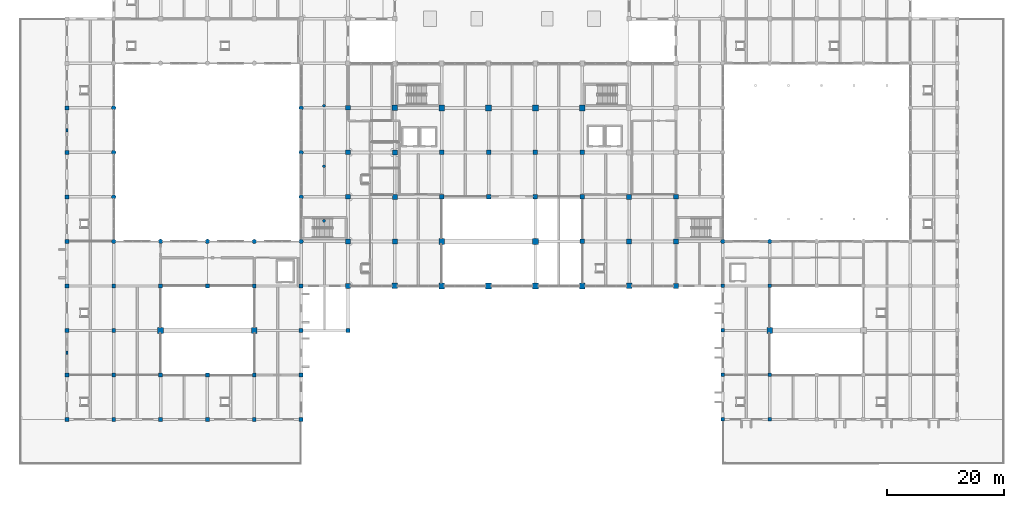
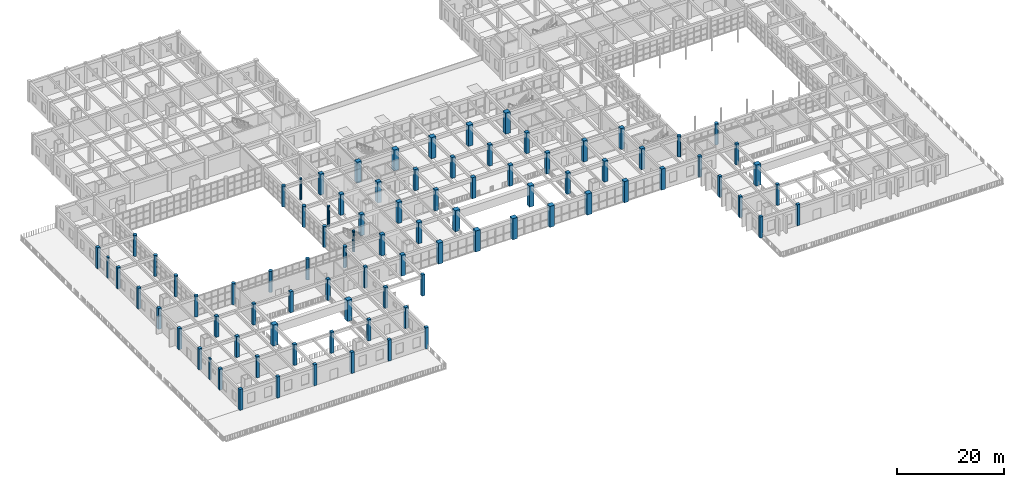
# One storey, part 1 of 101: 89 columns.
"""IFC4 building model written with IfcOpenShell, lengths in metres."""

from ifc_helpers import new_model, si_unit, direction, frame, origin, origin_2d, place, context, subcontext, project, spatial, rectangle, circle, extrude, material, material_profile, profile_set, type_object, element, save


model = new_model("IFC4")

# Units and contexts
model_context = context("Model", 3, precision=1e-05, world=origin(), true_north=direction((0.0, 1.0)))
body_context = subcontext(model_context, "Body", "Model", "MODEL_VIEW")
ifc_project = project(units=[si_unit("LENGTHUNIT", "METRE"), si_unit("AREAUNIT", "SQUARE_METRE"), si_unit("VOLUMEUNIT", "CUBIC_METRE"), si_unit("PLANEANGLEUNIT", "RADIAN"), si_unit("MASSUNIT", "GRAM", prefix="KILO")], contexts=[model_context])

# Site, building, storey
site_placement = place(None, origin())
site = spatial("IfcSite", under=ifc_project, at=site_placement, CompositionType="ELEMENT")
building_placement = place(site_placement, origin())
building = spatial("IfcBuilding", under=site, at=building_placement, Name="Zantavel Square City Hall", CompositionType="ELEMENT")
storey_placement = place(building_placement, frame((0.0, 0.0, 5.39990234375)))
storey = spatial("IfcBuildingStorey", under=building, at=storey_placement, Name="L02", CompositionType="ELEMENT", Elevation=5.39990234375)

# Columns
ifc_material = material(Name="Concrete C40/50", Category="concrete")
ifc_material_profile_1 = material_profile(ifc_material, rectangle(XDim=0.60009765625, YDim=0.35009765625, at=origin_2d()), Name="RC 600x350")
ifc_profile_set_1 = profile_set([ifc_material_profile_1], Name="Concrete C40/50")
column_type_1 = type_object("IfcColumnType", Name="Colossal Facade Pilaster 600x350 C40/50", PredefinedType="PILASTER", material=ifc_profile_set_1)
for number, where, z_axis, x_axis, name in (
    (1, (8.0, 19.0, 0.0), (0.0, 0.0, 1.0), (0.0, 1.0, 0.0), "L02 Facade Pilaster PIL-L02-0080-0190"),
    (2, (8.0, 57.0, 0.0), (0.0, 0.0, 1.0), (0.0, 1.0, 0.0), "L02 Facade Pilaster PIL-L02-0080-0570"),
):
    element("IfcColumn", number, at=place(storey_placement, frame(where, z_axis=z_axis, x_axis=x_axis)), inside=storey, type_object=column_type_1, Name=name, PredefinedType="PILASTER", context=body_context, shape_type="SweptSolid", body=[
        extrude(rectangle(XDim=0.60009765625, YDim=0.35009765625, at=origin_2d()), origin(), (0.0, 0.0, 1.0), 4.800048828125),
    ])
ifc_material_profile_2 = material_profile(ifc_material, rectangle(XDim=1.0, YDim=1.0, at=origin_2d()), Name="RC 1000x1000")
ifc_profile_set_2 = profile_set([ifc_material_profile_2], Name="Concrete C40/50")
column_type_2 = type_object("IfcColumnType", Name="Column RC 1000x1000 C40/50", PredefinedType="COLUMN", material=ifc_profile_set_2)
for number, where, z_axis, x_axis, name in (
    (3, (24.0, 22.800048828125, 0.0), (0.0, 0.0, 1.0), (1.0, 0.0, 0.0), "L02 Column COL-L02-0240-0228"),
    (4, (40.0, 22.800048828125, 0.0), (0.0, 0.0, 1.0), (1.0, 0.0, 0.0), "L02 Column COL-L02-0400-0228"),
    (5, (72.0, 30.39990234375, 0.0), (0.0, 0.0, 1.0), (1.0, 0.0, 0.0), "L02 Column COL-L02-0720-0304"),
    (6, (72.0, 38.0, 0.0), (0.0, 0.0, 1.0), (1.0, 0.0, 0.0), "L02 Column COL-L02-0720-0380"),
    (7, (72.0, 60.800048828125, 0.0), (0.0, 0.0, 1.0), (1.0, 0.0, 0.0), "L02 Column COL-L02-0720-0608"),
    (8, (80.0, 30.39990234375, 0.0), (0.0, 0.0, 1.0), (1.0, 0.0, 0.0), "L02 Column COL-L02-0800-0304"),
    (9, (80.0, 60.800048828125, 0.0), (0.0, 0.0, 1.0), (1.0, 0.0, 0.0), "L02 Column COL-L02-0800-0608"),
    (10, (88.0, 30.39990234375, 0.0), (0.0, 0.0, 1.0), (1.0, 0.0, 0.0), "L02 Column COL-L02-0880-0304"),
    (11, (88.0, 38.0, 0.0), (0.0, 0.0, 1.0), (1.0, 0.0, 0.0), "L02 Column COL-L02-0880-0380"),
    (12, (88.0, 60.800048828125, 0.0), (0.0, 0.0, 1.0), (1.0, 0.0, 0.0), "L02 Column COL-L02-0880-0608"),
    (13, (96.0, 30.39990234375, 0.0), (0.0, 0.0, 1.0), (1.0, 0.0, 0.0), "L02 Column COL-L02-0960-0304"),
    (14, (96.0, 60.800048828125, 0.0), (0.0, 0.0, 1.0), (1.0, 0.0, 0.0), "L02 Column COL-L02-0960-0608"),
    (15, (128.0, 22.800048828125, 0.0), (0.0, 0.0, 1.0), (1.0, 0.0, 0.0), "L02 Column COL-L02-1280-0228"),
):
    element("IfcColumn", number, at=place(storey_placement, frame(where, z_axis=z_axis, x_axis=x_axis)), inside=storey, type_object=column_type_2, Name=name, PredefinedType="COLUMN", context=body_context, shape_type="SweptSolid", body=[
        extrude(rectangle(XDim=1.0, YDim=1.0, at=origin_2d()), origin(), (0.0, 0.0, 1.0), 4.800048828125),
    ])
ifc_material_profile_3 = material_profile(ifc_material, rectangle(XDim=0.60009765625, YDim=0.60009765625, at=origin_2d()), Name="RC 600x600")
ifc_profile_set_3 = profile_set([ifc_material_profile_3], Name="Concrete C40/50")
column_type_3 = type_object("IfcColumnType", Name="Column RC 600x600 C40/50", PredefinedType="COLUMN", material=ifc_profile_set_3)
for number, where, z_axis, x_axis, name in (
    (16, (120.0, 7.60009765625, 0.0), (0.0, 0.0, 1.0), (1.0, 0.0, 0.0), "L02 Column COL-L02-1200-0076"),
    (17, (120.0, 15.199951171875, 0.0), (0.0, 0.0, 1.0), (1.0, 0.0, 0.0), "L02 Column COL-L02-1200-0152"),
    (18, (120.0, 22.800048828125, 0.0), (0.0, 0.0, 1.0), (1.0, 0.0, 0.0), "L02 Column COL-L02-1200-0228"),
    (19, (120.0, 30.39990234375, 0.0), (0.0, 0.0, 1.0), (1.0, 0.0, 0.0), "L02 Column COL-L02-1200-0304"),
    (20, (128.0, 7.60009765625, 0.0), (0.0, 0.0, 1.0), (1.0, 0.0, 0.0), "L02 Column COL-L02-1280-0076"),
    (21, (128.0, 15.199951171875, 0.0), (0.0, 0.0, 1.0), (1.0, 0.0, 0.0), "L02 Column COL-L02-1280-0152"),
    (22, (128.0, 30.39990234375, 0.0), (0.0, 0.0, 1.0), (1.0, 0.0, 0.0), "L02 Column COL-L02-1280-0304"),
):
    element("IfcColumn", number, at=place(storey_placement, frame(where, z_axis=z_axis, x_axis=x_axis)), inside=storey, type_object=column_type_3, Name=name, PredefinedType="COLUMN", context=body_context, shape_type="SweptSolid", body=[
        extrude(rectangle(XDim=0.60009765625, YDim=0.60009765625, at=origin_2d()), origin(), (0.0, 0.0, 1.0), 4.800048828125),
    ])
ifc_material_profile_4 = material_profile(ifc_material, rectangle(XDim=0.64990234375, YDim=0.64990234375, at=origin_2d()), Name="RC 650x650")
ifc_profile_set_4 = profile_set([ifc_material_profile_4], Name="Concrete C40/50")
column_type_4 = type_object("IfcColumnType", Name="Column RC 650x650 C40/50", PredefinedType="COLUMN", material=ifc_profile_set_4)
for number, where, z_axis, x_axis, name in (
    (23, (8.0, 7.60009765625, 0.0), (0.0, 0.0, 1.0), (1.0, 0.0, 0.0), "L02 Column COL-L02-0080-0076"),
    (24, (8.0, 15.199951171875, 0.0), (0.0, 0.0, 1.0), (1.0, 0.0, 0.0), "L02 Column COL-L02-0080-0152"),
    (25, (8.0, 22.800048828125, 0.0), (0.0, 0.0, 1.0), (1.0, 0.0, 0.0), "L02 Column COL-L02-0080-0228"),
    (26, (8.0, 30.39990234375, 0.0), (0.0, 0.0, 1.0), (1.0, 0.0, 0.0), "L02 Column COL-L02-0080-0304"),
    (27, (8.0, 38.0, 0.0), (0.0, 0.0, 1.0), (1.0, 0.0, 0.0), "L02 Column COL-L02-0080-0380"),
    (28, (8.0, 45.60009765625, 0.0), (0.0, 0.0, 1.0), (1.0, 0.0, 0.0), "L02 Column COL-L02-0080-0456"),
    (29, (8.0, 53.199951171875, 0.0), (0.0, 0.0, 1.0), (1.0, 0.0, 0.0), "L02 Column COL-L02-0080-0532"),
    (30, (8.0, 60.800048828125, 0.0), (0.0, 0.0, 1.0), (1.0, 0.0, 0.0), "L02 Column COL-L02-0080-0608"),
    (31, (16.0, 7.60009765625, 0.0), (0.0, 0.0, 1.0), (1.0, 0.0, 0.0), "L02 Column COL-L02-0160-0076"),
    (32, (16.0, 15.199951171875, 0.0), (0.0, 0.0, 1.0), (1.0, 0.0, 0.0), "L02 Column COL-L02-0160-0152"),
    (33, (16.0, 22.800048828125, 0.0), (0.0, 0.0, 1.0), (1.0, 0.0, 0.0), "L02 Column COL-L02-0160-0228"),
    (34, (16.0, 30.39990234375, 0.0), (0.0, 0.0, 1.0), (1.0, 0.0, 0.0), "L02 Column COL-L02-0160-0304"),
    (35, (24.0, 7.60009765625, 0.0), (0.0, 0.0, 1.0), (1.0, 0.0, 0.0), "L02 Column COL-L02-0240-0076"),
    (36, (24.0, 15.199951171875, 0.0), (0.0, 0.0, 1.0), (1.0, 0.0, 0.0), "L02 Column COL-L02-0240-0152"),
    (37, (24.0, 30.39990234375, 0.0), (0.0, 0.0, 1.0), (1.0, 0.0, 0.0), "L02 Column COL-L02-0240-0304"),
    (38, (32.0, 7.60009765625, 0.0), (0.0, 0.0, 1.0), (1.0, 0.0, 0.0), "L02 Column COL-L02-0320-0076"),
    (39, (32.0, 15.199951171875, 0.0), (0.0, 0.0, 1.0), (1.0, 0.0, 0.0), "L02 Column COL-L02-0320-0152"),
    (40, (32.0, 30.39990234375, 0.0), (0.0, 0.0, 1.0), (1.0, 0.0, 0.0), "L02 Column COL-L02-0320-0304"),
    (41, (40.0, 7.60009765625, 0.0), (0.0, 0.0, 1.0), (1.0, 0.0, 0.0), "L02 Column COL-L02-0400-0076"),
    (42, (40.0, 15.199951171875, 0.0), (0.0, 0.0, 1.0), (1.0, 0.0, 0.0), "L02 Column COL-L02-0400-0152"),
    (43, (40.0, 30.39990234375, 0.0), (0.0, 0.0, 1.0), (1.0, 0.0, 0.0), "L02 Column COL-L02-0400-0304"),
    (44, (48.0, 7.60009765625, 0.0), (0.0, 0.0, 1.0), (1.0, 0.0, 0.0), "L02 Column COL-L02-0480-0076"),
    (45, (48.0, 15.199951171875, 0.0), (0.0, 0.0, 1.0), (1.0, 0.0, 0.0), "L02 Column COL-L02-0480-0152"),
    (46, (48.0, 22.800048828125, 0.0), (0.0, 0.0, 1.0), (1.0, 0.0, 0.0), "L02 Column COL-L02-0480-0228"),
    (47, (48.0, 30.39990234375, 0.0), (0.0, 0.0, 1.0), (1.0, 0.0, 0.0), "L02 Column COL-L02-0480-0304"),
    (48, (56.0, 22.800048828125, 0.0), (0.0, 0.0, 1.0), (1.0, 0.0, 0.0), "L02 Column COL-L02-0560-0228"),
):
    element("IfcColumn", number, at=place(storey_placement, frame(where, z_axis=z_axis, x_axis=x_axis)), inside=storey, type_object=column_type_4, Name=name, PredefinedType="COLUMN", context=body_context, shape_type="SweptSolid", body=[
        extrude(rectangle(XDim=0.64990234375, YDim=0.64990234375, at=origin_2d()), origin(), (0.0, 0.0, 1.0), 4.800048828125),
    ])
ifc_material_profile_5 = material_profile(ifc_material, rectangle(XDim=0.75, YDim=0.75, at=origin_2d()), Name="RC 750x750")
ifc_profile_set_5 = profile_set([ifc_material_profile_5], Name="Concrete C40/50")
column_type_5 = type_object("IfcColumnType", Name="Column RC 750x750 C40/50", PredefinedType="COLUMN", material=ifc_profile_set_5)
for number, where, z_axis, x_axis, name in (
    (49, (72.0, 45.60009765625, 0.0), (0.0, 0.0, 1.0), (1.0, 0.0, 0.0), "L02 Column COL-L02-0720-0456"),
    (50, (72.0, 53.199951171875, 0.0), (0.0, 0.0, 1.0), (1.0, 0.0, 0.0), "L02 Column COL-L02-0720-0532"),
    (51, (80.0, 45.60009765625, 0.0), (0.0, 0.0, 1.0), (1.0, 0.0, 0.0), "L02 Column COL-L02-0800-0456"),
    (52, (80.0, 53.199951171875, 0.0), (0.0, 0.0, 1.0), (1.0, 0.0, 0.0), "L02 Column COL-L02-0800-0532"),
    (53, (88.0, 45.60009765625, 0.0), (0.0, 0.0, 1.0), (1.0, 0.0, 0.0), "L02 Column COL-L02-0880-0456"),
    (54, (88.0, 53.199951171875, 0.0), (0.0, 0.0, 1.0), (1.0, 0.0, 0.0), "L02 Column COL-L02-0880-0532"),
    (55, (96.0, 38.0, 0.0), (0.0, 0.0, 1.0), (1.0, 0.0, 0.0), "L02 Column COL-L02-0960-0380"),
    (56, (96.0, 45.60009765625, 0.0), (0.0, 0.0, 1.0), (1.0, 0.0, 0.0), "L02 Column COL-L02-0960-0456"),
    (57, (96.0, 53.199951171875, 0.0), (0.0, 0.0, 1.0), (1.0, 0.0, 0.0), "L02 Column COL-L02-0960-0532"),
):
    element("IfcColumn", number, at=place(storey_placement, frame(where, z_axis=z_axis, x_axis=x_axis)), inside=storey, type_object=column_type_5, Name=name, PredefinedType="COLUMN", context=body_context, shape_type="SweptSolid", body=[
        extrude(rectangle(XDim=0.75, YDim=0.75, at=origin_2d()), origin(), (0.0, 0.0, 1.0), 4.800048828125),
    ])
ifc_material_profile_6 = material_profile(ifc_material, rectangle(XDim=0.800048828125, YDim=0.800048828125, at=origin_2d()), Name="RC 800x800")
ifc_profile_set_6 = profile_set([ifc_material_profile_6], Name="Concrete C40/50")
column_type_6 = type_object("IfcColumnType", Name="Column RC 800x800 C40/50", PredefinedType="COLUMN", material=ifc_profile_set_6)
for number, where, z_axis, x_axis, name in (
    (58, (56.0, 30.39990234375, 0.0), (0.0, 0.0, 1.0), (1.0, 0.0, 0.0), "L02 Column COL-L02-0560-0304"),
    (59, (56.0, 38.0, 0.0), (0.0, 0.0, 1.0), (1.0, 0.0, 0.0), "L02 Column COL-L02-0560-0380"),
    (60, (56.0, 45.60009765625, 0.0), (0.0, 0.0, 1.0), (1.0, 0.0, 0.0), "L02 Column COL-L02-0560-0456"),
    (61, (56.0, 53.199951171875, 0.0), (0.0, 0.0, 1.0), (1.0, 0.0, 0.0), "L02 Column COL-L02-0560-0532"),
    (62, (56.0, 60.800048828125, 0.0), (0.0, 0.0, 1.0), (1.0, 0.0, 0.0), "L02 Column COL-L02-0560-0608"),
    (63, (112.0, 30.39990234375, 0.0), (0.0, 0.0, 1.0), (1.0, 0.0, 0.0), "L02 Column COL-L02-1120-0304"),
    (64, (112.0, 38.0, 0.0), (0.0, 0.0, 1.0), (1.0, 0.0, 0.0), "L02 Column COL-L02-1120-0380"),
    (65, (112.0, 45.60009765625, 0.0), (0.0, 0.0, 1.0), (1.0, 0.0, 0.0), "L02 Column COL-L02-1120-0456"),
):
    element("IfcColumn", number, at=place(storey_placement, frame(where, z_axis=z_axis, x_axis=x_axis)), inside=storey, type_object=column_type_6, Name=name, PredefinedType="COLUMN", context=body_context, shape_type="SweptSolid", body=[
        extrude(rectangle(XDim=0.800048828125, YDim=0.800048828125, at=origin_2d()), origin(), (0.0, 0.0, 1.0), 4.800048828125),
    ])
ifc_material_profile_7 = material_profile(ifc_material, rectangle(XDim=0.85009765625, YDim=0.85009765625, at=origin_2d()), Name="RC 850x850")
ifc_profile_set_7 = profile_set([ifc_material_profile_7], Name="Concrete C40/50")
column_type_7 = type_object("IfcColumnType", Name="Column RC 850x850 C40/50", PredefinedType="COLUMN", material=ifc_profile_set_7)
for number, where, z_axis, x_axis, name in (
    (66, (64.0, 38.0, 0.0), (0.0, 0.0, 1.0), (1.0, 0.0, 0.0), "L02 Column COL-L02-0640-0380"),
    (67, (64.0, 45.60009765625, 0.0), (0.0, 0.0, 1.0), (1.0, 0.0, 0.0), "L02 Column COL-L02-0640-0456"),
    (68, (64.0, 53.199951171875, 0.0), (0.0, 0.0, 1.0), (1.0, 0.0, 0.0), "L02 Column COL-L02-0640-0532"),
    (69, (104.0, 38.0, 0.0), (0.0, 0.0, 1.0), (1.0, 0.0, 0.0), "L02 Column COL-L02-1040-0380"),
    (70, (104.0, 45.60009765625, 0.0), (0.0, 0.0, 1.0), (1.0, 0.0, 0.0), "L02 Column COL-L02-1040-0456"),
):
    element("IfcColumn", number, at=place(storey_placement, frame(where, z_axis=z_axis, x_axis=x_axis)), inside=storey, type_object=column_type_7, Name=name, PredefinedType="COLUMN", context=body_context, shape_type="SweptSolid", body=[
        extrude(rectangle(XDim=0.85009765625, YDim=0.85009765625, at=origin_2d()), origin(), (0.0, 0.0, 1.0), 4.800048828125),
    ])
ifc_material_profile_8 = material_profile(ifc_material, circle(Radius=0.375, at=origin_2d()), Name="ROUND D750")
ifc_profile_set_8 = profile_set([ifc_material_profile_8], Name="Concrete C40/50")
column_type_8 = type_object("IfcColumnType", Name="Courtyard Ionic Column D750 C40/50", PredefinedType="COLUMN", material=ifc_profile_set_8)
for number, where, z_axis, x_axis, name in (
    (71, (16.0, 38.0, 0.0), (0.0, 0.0, 1.0), (1.0, 0.0, 0.0), "L02 Column COL-L02-0160-0380"),
    (72, (16.0, 45.60009765625, 0.0), (0.0, 0.0, 1.0), (1.0, 0.0, 0.0), "L02 Column COL-L02-0160-0456"),
    (73, (16.0, 53.199951171875, 0.0), (0.0, 0.0, 1.0), (1.0, 0.0, 0.0), "L02 Column COL-L02-0160-0532"),
    (74, (16.0, 60.800048828125, 0.0), (0.0, 0.0, 1.0), (1.0, 0.0, 0.0), "L02 Column COL-L02-0160-0608"),
    (75, (24.0, 38.0, 0.0), (0.0, 0.0, 1.0), (1.0, 0.0, 0.0), "L02 Column COL-L02-0240-0380"),
    (76, (32.0, 38.0, 0.0), (0.0, 0.0, 1.0), (1.0, 0.0, 0.0), "L02 Column COL-L02-0320-0380"),
    (77, (40.0, 38.0, 0.0), (0.0, 0.0, 1.0), (1.0, 0.0, 0.0), "L02 Column COL-L02-0400-0380"),
    (78, (48.0, 38.0, 0.0), (0.0, 0.0, 1.0), (1.0, 0.0, 0.0), "L02 Column COL-L02-0480-0380"),
    (79, (48.0, 45.60009765625, 0.0), (0.0, 0.0, 1.0), (1.0, 0.0, 0.0), "L02 Column COL-L02-0480-0456"),
    (80, (48.0, 53.199951171875, 0.0), (0.0, 0.0, 1.0), (1.0, 0.0, 0.0), "L02 Column COL-L02-0480-0532"),
    (81, (48.0, 60.800048828125, 0.0), (0.0, 0.0, 1.0), (1.0, 0.0, 0.0), "L02 Column COL-L02-0480-0608"),
    (82, (120.0, 38.0, 0.0), (0.0, 0.0, 1.0), (1.0, 0.0, 0.0), "L02 Column COL-L02-1200-0380"),
    (83, (128.0, 38.0, 0.0), (0.0, 0.0, 1.0), (1.0, 0.0, 0.0), "L02 Column COL-L02-1280-0380"),
):
    element("IfcColumn", number, at=place(storey_placement, frame(where, z_axis=z_axis, x_axis=x_axis)), inside=storey, type_object=column_type_8, Name=name, PredefinedType="COLUMN", context=body_context, shape_type="SweptSolid", body=[
        extrude(circle(Radius=0.375, at=origin_2d()), origin(), (0.0, 0.0, 1.0), 4.800048828125),
    ])
ifc_material_profile_9 = material_profile(ifc_material, circle(Radius=0.25, at=origin_2d()), Name="ROUND D500")
ifc_profile_set_9 = profile_set([ifc_material_profile_9], Name="Concrete C40/50")
column_type_9 = type_object("IfcColumnType", Name="Portico Canopy Classical Column D500 C40/50", PredefinedType="COLUMN", material=ifc_profile_set_9)
for number, where, z_axis, x_axis, name in (
    (84, (51.89990234375, 41.5, 0.0), (0.0, 0.0, 1.0), (1.0, 0.0, 0.0), "L02 Terrace Stair Loggia Column 4"),
    (85, (51.89990234375, 50.8349609375, 0.0), (0.0, 0.0, 1.0), (1.0, 0.0, 0.0), "L02 Terrace Stair Loggia Column 5"),
    (86, (51.89990234375, 61.169921875, 0.0), (0.0, 0.0, 1.0), (1.0, 0.0, 0.0), "L02 Terrace Stair Loggia Column 6"),
):
    element("IfcColumn", number, at=place(storey_placement, frame(where, z_axis=z_axis, x_axis=x_axis)), inside=storey, type_object=column_type_9, Name=name, PredefinedType="COLUMN", context=body_context, shape_type="SweptSolid", body=[
        extrude(circle(Radius=0.25, at=origin_2d()), origin(), (0.0, 0.0, 1.0), 4.800048828125),
    ])
ifc_material_profile_10 = material_profile(ifc_material, rectangle(XDim=0.949951171875, YDim=0.949951171875, at=origin_2d()), Name="RC 950x950")
ifc_profile_set_10 = profile_set([ifc_material_profile_10], Name="Concrete C40/50")
column_type_10 = type_object("IfcColumnType", Name="Vault Corner Pier Column RC 950x950 C40/50", PredefinedType="COLUMN", material=ifc_profile_set_10)
for number, where, z_axis, x_axis, name in (
    (87, (64.0, 30.39990234375, 0.0), (0.0, 0.0, 1.0), (1.0, 0.0, 0.0), "L02 Column COL-L02-0640-0304"),
    (88, (64.0, 60.800048828125, 0.0), (0.0, 0.0, 1.0), (1.0, 0.0, 0.0), "L02 Column COL-L02-0640-0608"),
    (89, (104.0, 30.39990234375, 0.0), (0.0, 0.0, 1.0), (1.0, 0.0, 0.0), "L02 Column COL-L02-1040-0304"),
):
    element("IfcColumn", number, at=place(storey_placement, frame(where, z_axis=z_axis, x_axis=x_axis)), inside=storey, type_object=column_type_10, Name=name, PredefinedType="COLUMN", context=body_context, shape_type="SweptSolid", body=[
        extrude(rectangle(XDim=0.949951171875, YDim=0.949951171875, at=origin_2d()), origin(), (0.0, 0.0, 1.0), 4.800048828125),
    ])

save(model, "model.ifc")
